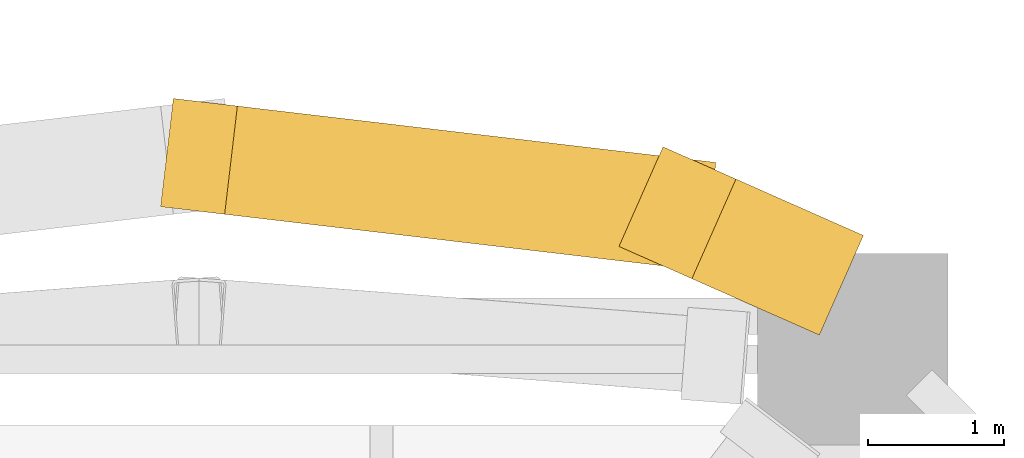
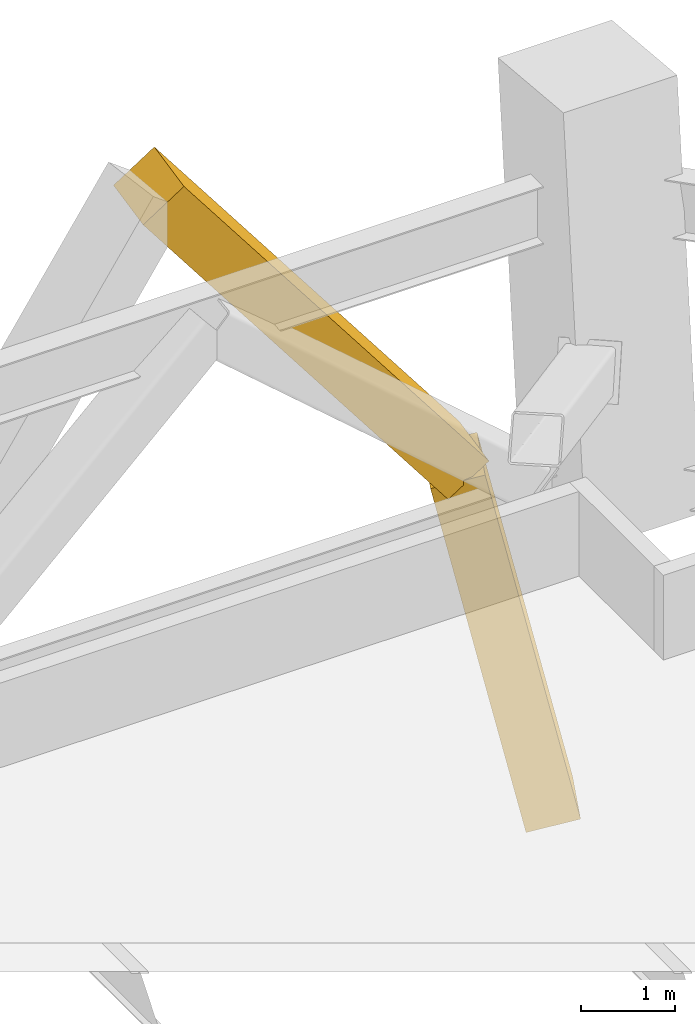
# One storey, part 19 of 19: 2 coverings.
"""IFC4 building model written with IfcOpenShell, lengths in metres."""

from ifc_helpers import new_model, si_unit, direction, frame, origin, origin_2d, place, context, subcontext, project, spatial, rectangle, extrude, material, material_profile, profile_set, type_object, element, save


model = new_model("IFC4")

# Units and contexts
model_context = context("Model", 3, precision=1e-05, world=origin(), true_north=direction((0.0, 1.0)))
body_context = subcontext(model_context, "Body", "Model", "MODEL_VIEW")
ifc_project = project(units=[si_unit("LENGTHUNIT", "METRE"), si_unit("AREAUNIT", "SQUARE_METRE"), si_unit("VOLUMEUNIT", "CUBIC_METRE"), si_unit("PLANEANGLEUNIT", "RADIAN"), si_unit("MASSUNIT", "GRAM", prefix="KILO")], contexts=[model_context])

# Site, building, storey
site_placement = place(None, origin())
site = spatial("IfcSite", under=ifc_project, at=site_placement, CompositionType="ELEMENT")
building_placement = place(site_placement, origin())
building = spatial("IfcBuilding", under=site, at=building_placement, Name="Ogive Exchange Tower", CompositionType="ELEMENT")
storey_placement = place(building_placement, frame((0.0, 0.0, 94.199951171875)))
storey = spatial("IfcBuildingStorey", under=building, at=storey_placement, Name="L20", CompositionType="ELEMENT", Elevation=94.199951171875)

# Coverings
ifc_material = material(Name="Precast concrete C50/60", Category="concrete")
ifc_material_profile = material_profile(ifc_material, rectangle(XDim=0.800048828125, YDim=0.60009765625, at=origin_2d()), Name="RIB 800 x 600")
ifc_profile_set = profile_set([ifc_material_profile], Name="Precast concrete C50/60")
covering_type = type_object("IfcCoveringType", Name="Precast tracery rib 800 x 600 C50/60", PredefinedType="CLADDING", material=ifc_profile_set)
covering_1_placement = place(storey_placement, frame((28.449951171875, 37.60693359375, -4.199951171875), z_axis=(-0.200704449165, 0.08878318878, 0.975620453596), x_axis=(-0.404544379666, -0.914518367711, 0.0)))
element("IfcCovering", 1, at=covering_1_placement, inside=storey, type_object=covering_type, Name="Tracery rib 18a", PredefinedType="CLADDING", context=body_context, shape_type="SweptSolid", body=[
    extrude(rectangle(XDim=0.800048828125, YDim=0.60009765625, at=origin_2d()), origin(), (0.0, 0.0, 1.0), 4.663818359375),
])
covering_2_placement = place(storey_placement, frame((27.513916015625, 38.02099609375, 0.35009765625), z_axis=(-0.609647089072, 0.071837800533, 0.789411019179), x_axis=(-0.117025404766, -0.99312892146, 0.0)))
element("IfcCovering", 2, at=covering_2_placement, inside=storey, type_object=covering_type, Name="Tracery rib 18a", PredefinedType="CLADDING", context=body_context, shape_type="SweptSolid", body=[
    extrude(rectangle(XDim=0.800048828125, YDim=0.60009765625, at=origin_2d()), origin(), (0.0, 0.0, 1.0), 5.763916015625),
])

save(model, "model.ifc")
